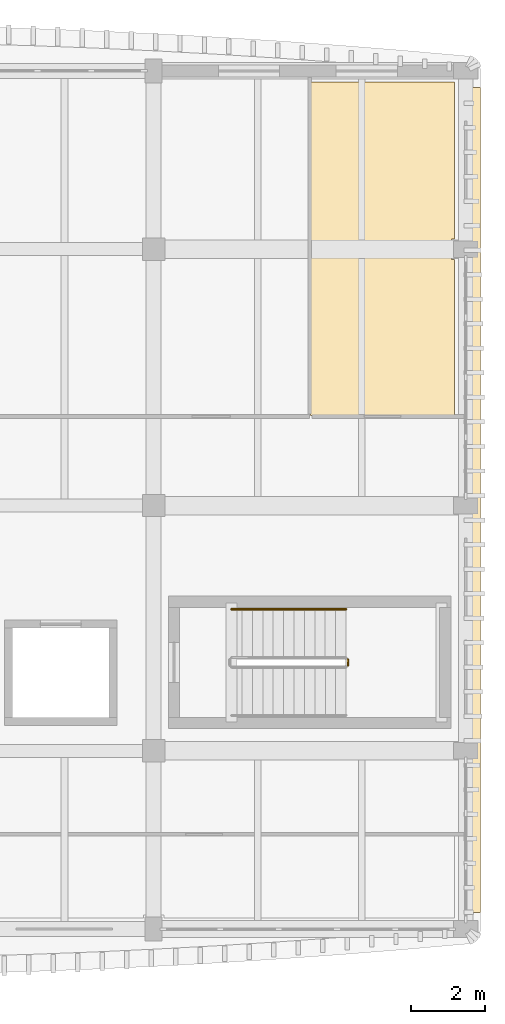
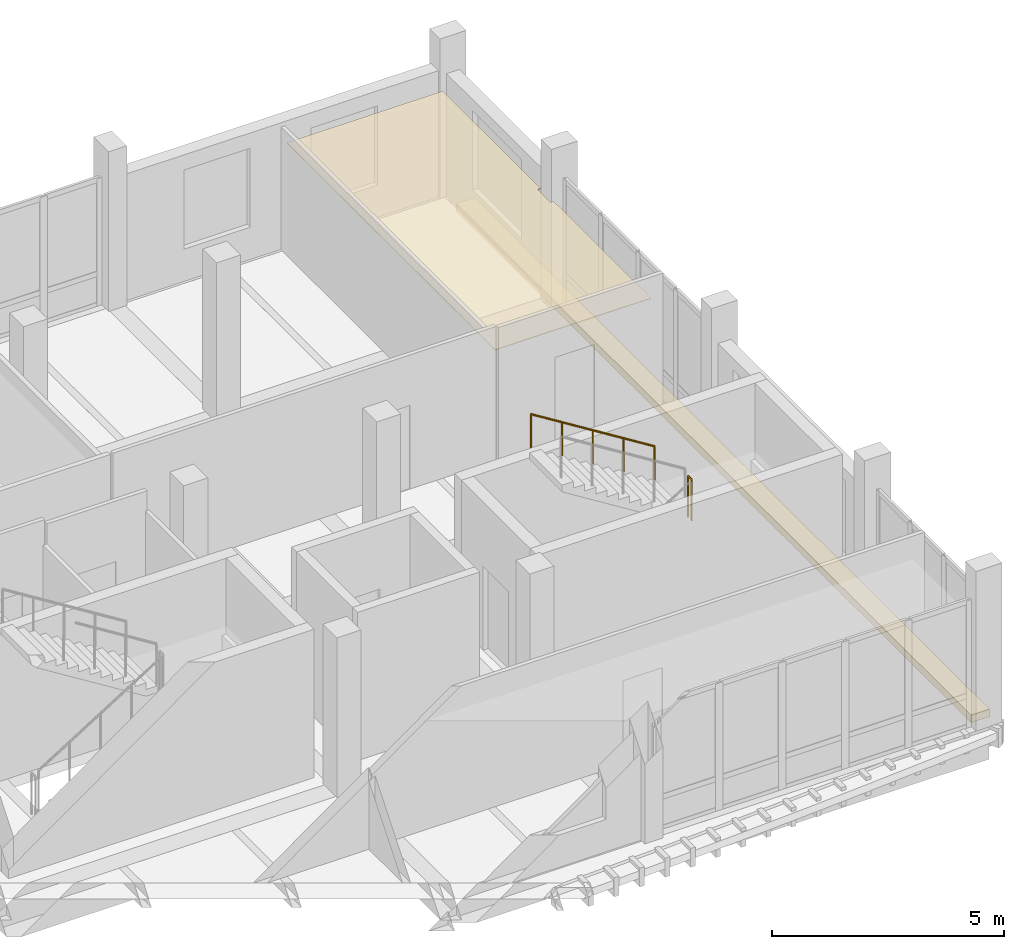
# One storey, part 13 of 16: 2 coverings, 2 railings.
"""IFC4 building model written with IfcOpenShell, lengths in metres."""

import ifcopenshell
import ifcopenshell.guid

model = None  # the IFC model being written
_history = None  # IfcOwnerHistory: only IFC2X3 demands one
_inside = {}  # id of a spatial element -> (the spatial element, [elements in it])
_under = {}  # id of a project, library or spatial element -> (it, [spatial elements below it])
_declared = {}  # id of a project -> (the project, [libraries it declares])
_typed = {}  # id of a type object -> (the type object, [elements of that type])
_made_of = {}  # id of a material, layer set ... -> (it, [elements and type objects made of it])


def new_model(schema):
    """Start an empty IFC model of exactly this schema.

    Asked for "IFC4X3", IfcOpenShell would pick the latest addendum, in which some entities
    have other attributes; the version numbers below select the first issue.
    IFC2X3 requires an IfcOwnerHistory on every rooted entity: one is made here for all.
    """
    global model, _history
    if schema == "IFC4X3":
        model = ifcopenshell.file(schema_version=(4, 3, 0, 0))
    else:
        model = ifcopenshell.file(schema=schema)
    _inside.clear()
    _under.clear()
    _declared.clear()
    _typed.clear()
    _made_of.clear()
    _history = None
    if model.schema == "IFC2X3":
        org = make("IfcOrganization", Name="unknown")
        user = make(
            "IfcPersonAndOrganization",
            ThePerson=make("IfcPerson", FamilyName="unknown"),
            TheOrganization=org,
        )
        app = make(
            "IfcApplication",
            ApplicationDeveloper=org,
            Version="unknown",
            ApplicationFullName="unknown",
            ApplicationIdentifier="unknown",
        )
        _history = make(
            "IfcOwnerHistory",
            OwningUser=user,
            OwningApplication=app,
            ChangeAction="ADDED",
            CreationDate=0,
        )
    return model


def make(cls, **values):
    """One entity of the class cls with the attributes given. An attribute that is None is left unset."""
    return model.create_entity(
        cls, **{name: value for name, value in values.items() if value is not None}
    )


def rooted(cls, **values):
    """An entity with a GlobalId (a new one), such as an element, a storey or a relation."""
    return make(cls, GlobalId=ifcopenshell.guid.new(), OwnerHistory=_history, **values)


def si_unit(unit_type, name, prefix=None):
    """IfcSIUnit, for example si_unit("LENGTHUNIT", "METRE", prefix="MILLI")."""
    return make("IfcSIUnit", UnitType=unit_type, Prefix=prefix, Name=name)


def assignment(units):
    """IfcUnitAssignment: the units of a project."""
    return None if units is None else make("IfcUnitAssignment", Units=units)


def point(xyz):
    """IfcCartesianPoint."""
    return None if xyz is None else make("IfcCartesianPoint", Coordinates=xyz)


def direction(xyz):
    """IfcDirection."""
    return None if xyz is None else make("IfcDirection", DirectionRatios=xyz)


def frame(location, z_axis=None, x_axis=None):
    """IfcAxis2Placement3D, a coordinate frame: its origin and axes. An axis left out is left unset."""
    return make(
        "IfcAxis2Placement3D",
        Location=point(location),
        Axis=direction(z_axis),
        RefDirection=direction(x_axis),
    )


def frame_2d(location, x_axis=None):
    """IfcAxis2Placement2D, a coordinate frame in the plane: its origin and x axis."""
    return make(
        "IfcAxis2Placement2D", Location=point(location), RefDirection=direction(x_axis)
    )


def origin():
    """The frame at (0, 0, 0) with its axes left unset."""
    return frame((0.0, 0.0, 0.0))


def origin_2d():
    """The frame at (0, 0) in the plane with its x axis left unset."""
    return frame_2d((0.0, 0.0))


def place(relative_to, where):
    """IfcLocalPlacement: puts the frame where relative to a parent placement (None: the world)."""
    return make(
        "IfcLocalPlacement", PlacementRelTo=relative_to, RelativePlacement=where
    )


def context(
    kind, dimensions, precision=None, world=None, true_north=None, identifier=None
):
    """IfcGeometricRepresentationContext, for example the 3D "Model" context."""
    return make(
        "IfcGeometricRepresentationContext",
        ContextIdentifier=identifier,
        ContextType=kind,
        CoordinateSpaceDimension=dimensions,
        Precision=precision,
        WorldCoordinateSystem=world,
        TrueNorth=true_north,
    )


def subcontext(parent, identifier, kind, view, scale=None):
    """IfcGeometricRepresentationSubContext, for example "Body" below "Model"."""
    return make(
        "IfcGeometricRepresentationSubContext",
        ContextIdentifier=identifier,
        ContextType=kind,
        ParentContext=parent,
        TargetScale=scale,
        TargetView=view,
    )


def project(units=None, contexts=None):
    """IfcProject with its units and contexts."""
    return rooted(
        "IfcProject",
        Name="project",
        RepresentationContexts=contexts,
        UnitsInContext=assignment(units),
    )


def spatial(cls, under=None, at=None, **own):
    """A site, building, storey or space (cls), placed at a placement, below another one or the project."""
    s = rooted(cls, ObjectPlacement=at, **own)
    if under is not None:
        _under.setdefault(under.id(), (under, []))[1].append(s)
    return s


def polyline(points):
    """IfcPolyline through the points."""
    return make("IfcPolyline", Points=[point(p) for p in points])


def profile(cls, at=None, kind="AREA", **sizes):
    """A parametric profile (cls). Its sizes go by their IFC names, for example OverallWidth=200.0."""
    return make(cls, ProfileType=kind, Position=at, **sizes)


def circle(**sizes):
    """IfcCircleProfileDef."""
    return profile("IfcCircleProfileDef", **sizes)


def outline(outer, holes=None, kind="AREA"):
    """IfcArbitraryClosedProfileDef: a profile drawn as a closed curve; with holes, ...WithVoids."""
    if holes is None:
        return make("IfcArbitraryClosedProfileDef", ProfileType=kind, OuterCurve=outer)
    return make(
        "IfcArbitraryProfileDefWithVoids",
        ProfileType=kind,
        OuterCurve=outer,
        InnerCurves=holes,
    )


def extrude(swept, where, along, depth):
    """IfcExtrudedAreaSolid: the profile swept, set in the frame where, extruded along a direction by depth."""
    return make(
        "IfcExtrudedAreaSolid",
        SweptArea=swept,
        Position=where,
        ExtrudedDirection=direction(along),
        Depth=depth,
    )


def shape(context_of_items, identifier, shape_type, items):
    """IfcShapeRepresentation: the items that make up one representation, for example the "Body"."""
    return make(
        "IfcShapeRepresentation",
        ContextOfItems=context_of_items,
        RepresentationIdentifier=identifier,
        RepresentationType=shape_type,
        Items=items,
    )


def material(Name=None, Category=None):
    """IfcMaterial."""
    return make("IfcMaterial", Name=Name, Category=Category)


def layer(
    of_material, thickness, ventilated=None, Name=None, Category=None, Priority=None
):
    """IfcMaterialLayer: one layer of a wall or slab, of a material (None: an air gap)."""
    return make(
        "IfcMaterialLayer",
        Material=of_material,
        LayerThickness=thickness,
        IsVentilated=ventilated,
        Name=Name,
        Category=Category,
        Priority=Priority,
    )


def layer_set(layers, Name=None):
    """IfcMaterialLayerSet."""
    return make("IfcMaterialLayerSet", MaterialLayers=layers, LayerSetName=Name)


def made_of(thing, what):
    """Note that an element or type object is made of a material, layer set ...; save() writes the relation."""
    if what is not None:
        _made_of.setdefault(what.id(), (what, []))[1].append(thing)
    return thing


def type_object(cls, material=None, **own):
    """A type object (cls), such as IfcWallType, which elements share."""
    return made_of(rooted(cls, **own), material)


def element(
    cls,
    number,
    at=None,
    inside=None,
    cuts=None,
    type_object=None,
    material=None,
    context=None,
    identifier="Body",
    shape_type=None,
    held_by="IfcProductDefinitionShape",
    body=None,
    shapes=None,
    **own,
):
    """One element of the class cls, such as IfcWall. Its Tag is "e" and its number.

    at: its placement. inside: the storey or other place that contains it. cuts: it is an
    opening in that element (IfcRelVoidsElement). A single representation is given by context,
    identifier, shape_type and body (its items); several are given by shapes. held_by: the class
    of the entity that holds the representations. save() writes the other relations.
    """
    e = rooted(cls, Tag="e%d" % number, ObjectPlacement=at, **own)
    if body is not None:
        shapes = [shape(context, identifier, shape_type, body)]
    if shapes is not None:
        e.Representation = make(held_by, Representations=shapes)
    if inside is not None:
        _inside.setdefault(inside.id(), (inside, []))[1].append(e)
    if cuts is not None:
        rooted(
            "IfcRelVoidsElement", RelatingBuildingElement=cuts, RelatedOpeningElement=e
        )
    if type_object is not None:
        _typed.setdefault(type_object.id(), (type_object, []))[1].append(e)
    return made_of(e, material)


def aggregate(whole, parts):
    """IfcRelAggregates: a whole, such as a stair, and the parts it consists of."""
    return rooted("IfcRelAggregates", RelatingObject=whole, RelatedObjects=parts)


def save(model, path):
    """Write the relations noted so far, then the file.

    IfcRelAggregates (storeys below a building ...), IfcRelContainedInSpatialStructure (elements
    in a storey), IfcRelDefinesByType, IfcRelAssociatesMaterial and IfcRelDeclares: one each for
    every whole, place, type object, material and project.
    """
    for whole, parts in _under.values():
        aggregate(whole, parts)
    for where, things in _inside.values():
        rooted(
            "IfcRelContainedInSpatialStructure",
            RelatedElements=things,
            RelatingStructure=where,
        )
    for kind, things in _typed.values():
        rooted("IfcRelDefinesByType", RelatedObjects=things, RelatingType=kind)
    for what, things in _made_of.values():
        rooted("IfcRelAssociatesMaterial", RelatedObjects=things, RelatingMaterial=what)
    for by, libraries in _declared.values():
        rooted("IfcRelDeclares", RelatingContext=by, RelatedDefinitions=libraries)
    model.write(path)


model = new_model("IFC4")

# Units and contexts
model_context = context("Model", 3, precision=1e-05, world=origin(), true_north=direction((0.0, 1.0)))
body_context = subcontext(model_context, "Body", "Model", "MODEL_VIEW")
ifc_project = project(units=[si_unit("LENGTHUNIT", "METRE"), si_unit("AREAUNIT", "SQUARE_METRE"), si_unit("VOLUMEUNIT", "CUBIC_METRE"), si_unit("PLANEANGLEUNIT", "RADIAN"), si_unit("MASSUNIT", "GRAM", prefix="KILO")], contexts=[model_context])

# Site, building, storey
site_placement = place(None, origin())
site = spatial("IfcSite", under=ifc_project, at=site_placement, CompositionType="ELEMENT")
building_placement = place(site_placement, origin())
building = spatial("IfcBuilding", under=site, at=building_placement, Name="Dornvale Research Institute", CompositionType="ELEMENT")
storey_placement = place(building_placement, frame((0.0, 0.0, 38.39990234375)))
storey = spatial("IfcBuildingStorey", under=building, at=storey_placement, Name="L08", CompositionType="ELEMENT", Elevation=38.39990234375)

# Coverings
ifc_material_1 = material(Name="Mineral-Fibre Acoustic Lay-In Ceiling Tile System")
ifc_layer_1 = layer(ifc_material_1, 0.02001953125)
ifc_layer_set_1 = layer_set([ifc_layer_1], Name="Mineral-Fibre Acoustic Lay-In Ceiling Tile System")
covering_type_1 = type_object("IfcCoveringType", Name="Covering_Acoustic_Ceiling", PredefinedType="CEILING", material=ifc_layer_set_1)
covering_1_placement = place(storey_placement, frame((0.0, 0.0, 2.85009765625)))
element("IfcCovering", 1, at=covering_1_placement, inside=storey, type_object=covering_type_1, Name="L08 Principal Investigator Office L08 suspended ceiling", PredefinedType="CEILING", context=body_context, shape_type="SweptSolid", body=[
    extrude(outline(polyline([(41.10009765625, 117.574951171875), (41.02490234375, 117.574951171875), (41.02490234375, 117.02490234375), (41.10009765625, 117.02490234375), (41.10009765625, 112.820068359375), (37.219970703125, 112.820068359375), (37.219970703125, 121.800048828125), (41.10009765625, 121.800048828125), (41.10009765625, 117.574951171875)])), origin(), (0.0, 0.0, 1.0), 0.02001953125),
])
ifc_material_2 = material(Name="Polychrome Glazed Terracotta Visor Rib Ceramic", Category="masonry")
ifc_layer_2 = layer(ifc_material_2, 0.199951171875)
ifc_layer_set_2 = layer_set([ifc_layer_2], Name="Polychrome Glazed Terracotta Visor Rib Ceramic")
covering_type_2 = type_object("IfcCoveringType", Name="Covering_VisorBrim_Shelf", PredefinedType="CLADDING", material=ifc_layer_set_2)
covering_2_placement = place(storey_placement, frame((0.0, 0.0, -0.27978515625)))
element("IfcCovering", 2, at=covering_2_placement, inside=storey, type_object=covering_type_2, Name="L08 V5 canted bowed-brim visor hood #35", PredefinedType="CLADDING", context=body_context, shape_type="SweptSolid", body=[
    extrude(outline(polyline([(41.80322265625, 99.449951171875), (41.340087890625, 99.449951171875), (41.340087890625, 121.64990234375), (41.80322265625, 121.64990234375), (41.80322265625, 99.449951171875)])), origin(), (0.0, 0.0, 1.0), 0.199951171875),
])

# Railings
ifc_material_3 = material(Name="Galvanized Painted Tubular Steel Stair Rail", Category="steel")
ifc_layer_3 = layer(ifc_material_3, 0.050048828125)
ifc_layer_set_3 = layer_set([ifc_layer_3], Name="Galvanized Painted Tubular Steel Stair Rail")
railing_type_1 = type_object("IfcRailingType", Name="Railing_Stair_Guard_1100", PredefinedType="GUARDRAIL", material=ifc_layer_set_3)
railing_1_placement = place(storey_placement, frame((38.22998046875, 106.10009765625, 2.10009765625)))
element("IfcRailing", 3, at=railing_1_placement, inside=storey, type_object=railing_type_1, Name="L08 ST-2 stair guard 2", PredefinedType="GUARDRAIL", context=body_context, shape_type="SweptSolid", body=[
    extrude(circle(Radius=0.02392578125, at=origin_2d()), frame((0.0, 0.0, 1.076171875), z_axis=(0.0, 1.0, 0.0), x_axis=(-1.0, 0.0, 0.0)), (0.0, 0.0, 1.0), 0.159912109375),
    extrude(circle(Radius=0.02099609375, at=origin_2d()), origin(), (0.0, 0.0, 1.0), 1.052001953125),
    extrude(circle(Radius=0.02099609375, at=origin_2d()), frame((0.0, 0.159912109375, 0.0)), (0.0, 0.0, 1.0), 1.052001953125),
])
ifc_material_4 = material(Name="Galvanized Painted Tubular Steel Stair Rail", Category="steel")
ifc_layer_4 = layer(ifc_material_4, 0.044921875)
ifc_layer_set_4 = layer_set([ifc_layer_4], Name="Galvanized Painted Tubular Steel Stair Rail")
railing_type_2 = type_object("IfcRailingType", Name="Railing_Stair_Handrail_900", PredefinedType="HANDRAIL", material=ifc_layer_set_4)
railing_2_placement = place(storey_placement, frame((38.179931640625, 107.610107421875, 2.275146484375)))
element("IfcRailing", 4, at=railing_2_placement, inside=storey, type_object=railing_type_2, Name="L08 ST-2 stair handrail 2", PredefinedType="HANDRAIL", context=body_context, shape_type="SweptSolid", body=[
    extrude(circle(Radius=0.02392578125, at=origin_2d()), frame((0.0, 0.0, 0.8759765625), z_axis=(-0.847979421464, 0.0, 0.530029150871), x_axis=(0.0, -1.0, 0.0)), (0.0, 0.0, 1.0), 3.632080078125),
    extrude(circle(Radius=0.02099609375, at=origin_2d()), origin(), (0.0, 0.0, 1.0), 0.851806640625),
    extrude(circle(Radius=0.02099609375, at=origin_2d()), frame((-0.77001953125, 0.0, 0.481201171875)), (0.0, 0.0, 1.0), 0.851806640625),
    extrude(circle(Radius=0.02099609375, at=origin_2d()), frame((-1.5400390625, 0.0, 0.96240234375)), (0.0, 0.0, 1.0), 0.851806640625),
    extrude(circle(Radius=0.02099609375, at=origin_2d()), frame((-2.309814453125, 0.0, 1.44384765625)), (0.0, 0.0, 1.0), 0.851806640625),
    extrude(circle(Radius=0.02099609375, at=origin_2d()), frame((-3.079833984375, 0.0, 1.925048828125)), (0.0, 0.0, 1.0), 0.851806640625),
])

save(model, "model.ifc")
